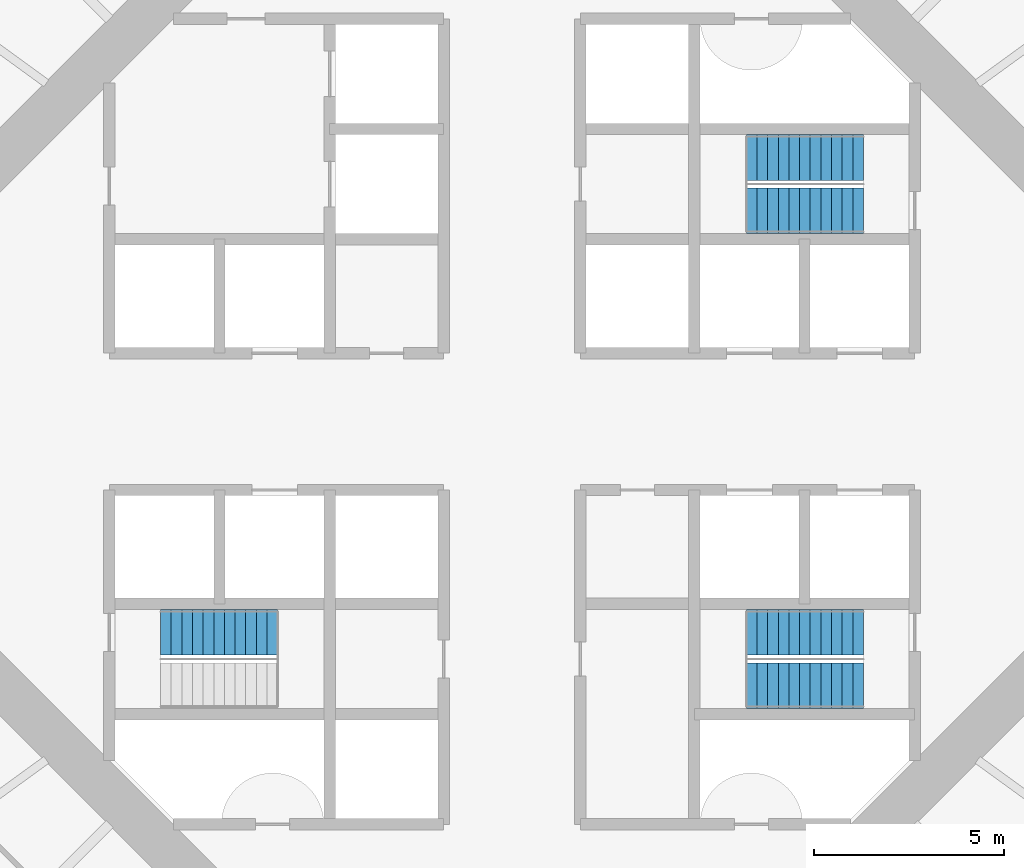
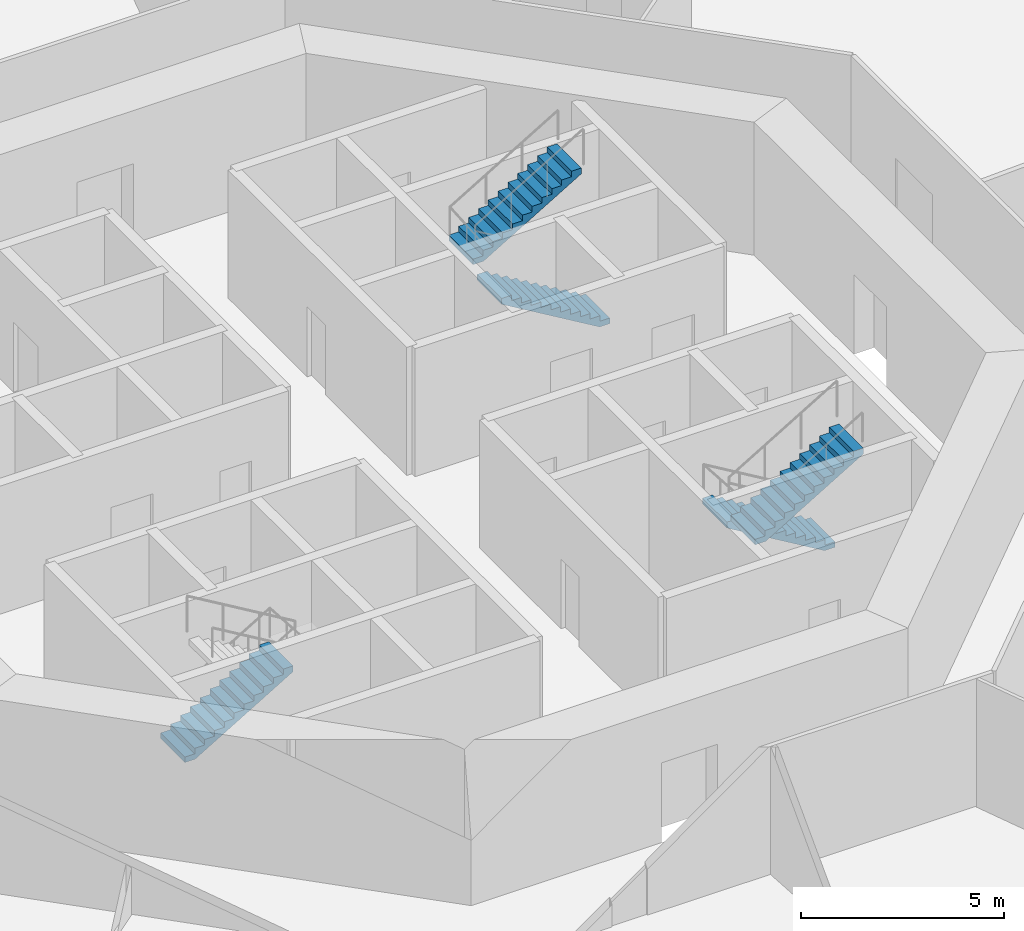
# One storey, part 6 of 13: 5 stair flights, 3 elements without a shape of their own.
"""IFC4 building model written with IfcOpenShell, lengths in metres."""

from ifc_helpers import new_model, si_unit, direction, frame, origin, place, context, subcontext, project, spatial, polyline, outline, extrude, material, type_object, element, aggregate, save


model = new_model("IFC4")

# Units and contexts
model_context = context("Model", 3, precision=1e-05, world=origin(), true_north=direction((0.0, 1.0)))
body_context = subcontext(model_context, "Body", "Model", "MODEL_VIEW")
ifc_project = project(units=[si_unit("LENGTHUNIT", "METRE"), si_unit("AREAUNIT", "SQUARE_METRE"), si_unit("VOLUMEUNIT", "CUBIC_METRE"), si_unit("PLANEANGLEUNIT", "RADIAN"), si_unit("MASSUNIT", "GRAM", prefix="KILO")], contexts=[model_context])

# Site, building, storey
site_placement = place(None, origin())
site = spatial("IfcSite", under=ifc_project, at=site_placement, CompositionType="ELEMENT")
building_placement = place(site_placement, origin())
building = spatial("IfcBuilding", under=site, at=building_placement, Name="Entoto Ring Tower", CompositionType="ELEMENT")
storey_placement = place(building_placement, frame((0.0, 0.0, 100.0)))
storey = spatial("IfcBuildingStorey", under=building, at=storey_placement, Name="L22", CompositionType="ELEMENT", Elevation=100.0)

# Stair, stair flights
ifc_material_1 = material(Name="Concrete C40/50", Category="concrete")
stair_type = type_object("IfcStairType", Name="Exit stair 1200 mm dog-leg reinforced concrete", PredefinedType="HALF_TURN_STAIR", material=ifc_material_1)
stair_1_placement = place(storey_placement, origin())
stair_1 = element("IfcStair", 1, at=stair_1_placement, inside=storey, type_object=stair_type, Name="Exit stair 1", PredefinedType="HALF_TURN_STAIR")
ifc_material_2 = material(Name="Concrete C40/50", Category="concrete")
stair_flight_type = type_object("IfcStairFlightType", Name="Stair flight 1200 mm reinforced concrete", PredefinedType="STRAIGHT", material=ifc_material_2)
stair_flight_1_placement = place(storey_placement, frame((99.25, 85.550048828125, 0.0), z_axis=(0.0, 0.0, 1.0), x_axis=(-1.0, 0.0, 0.0)))
stair_flight_1 = element("IfcStairFlight", 2, at=stair_flight_1_placement, type_object=stair_flight_type, Name="ST1 flight 1", NumberOfRisers=12, NumberOfTreads=11, PredefinedType="STRAIGHT", RiserHeight=0.166666667, TreadLength=0.28, context=body_context, shape_type="SweptSolid", body=[
    extrude(outline(polyline([(0.0, 0.0), (0.0, 0.166748046875), (0.280029296875, 0.166748046875), (0.280029296875, 0.333251953125), (0.56005859375, 0.333251953125), (0.56005859375, 0.5), (0.840087890625, 0.5), (0.840087890625, 0.666748046875), (1.1201171875, 0.666748046875), (1.1201171875, 0.833251953125), (1.39990234375, 0.833251953125), (1.39990234375, 1.0), (1.679931640625, 1.0), (1.679931640625, 1.166748046875), (1.9599609375, 1.166748046875), (1.9599609375, 1.333251953125), (2.239990234375, 1.333251953125), (2.239990234375, 1.5), (2.52001953125, 1.5), (2.52001953125, 1.666748046875), (2.800048828125, 1.666748046875), (2.800048828125, 1.833251953125), (3.080078125, 1.833251953125), (3.080078125, 2.0), (3.080078125, 1.658935546875), (0.29296875, 0.0), (0.0, 0.0)])), frame((0.0, 0.60009765625, 0.0), z_axis=(0.0, -1.0, 0.0), x_axis=(1.0, 0.0, 0.0)), (0.0, 0.0, 1.0), 1.199951171875),
])
stair_flight_2_placement = place(storey_placement, frame((96.169921875, 86.949951171875, 2.0), z_axis=(0.0, 0.0, 1.0), x_axis=(1.0, 0.0, 0.0)))
stair_flight_2 = element("IfcStairFlight", 3, at=stair_flight_2_placement, type_object=stair_flight_type, Name="ST1 flight 2", NumberOfRisers=12, NumberOfTreads=11, PredefinedType="STRAIGHT", RiserHeight=0.166666667, TreadLength=0.28, context=body_context, shape_type="SweptSolid", body=[
    extrude(outline(polyline([(0.0, 0.0), (0.0, 0.166748046875), (0.280029296875, 0.166748046875), (0.280029296875, 0.333251953125), (0.56005859375, 0.333251953125), (0.56005859375, 0.5), (0.840087890625, 0.5), (0.840087890625, 0.666748046875), (1.1201171875, 0.666748046875), (1.1201171875, 0.833251953125), (1.39990234375, 0.833251953125), (1.39990234375, 1.0), (1.679931640625, 1.0), (1.679931640625, 1.166748046875), (1.9599609375, 1.166748046875), (1.9599609375, 1.333251953125), (2.239990234375, 1.333251953125), (2.239990234375, 1.5), (2.52001953125, 1.5), (2.52001953125, 1.666748046875), (2.800048828125, 1.666748046875), (2.800048828125, 1.833251953125), (3.080078125, 1.833251953125), (3.080078125, 2.0), (3.080078125, 1.658935546875), (0.29296875, 0.0), (0.0, 0.0)])), frame((0.0, 0.60009765625, 0.0), z_axis=(0.0, -1.0, 0.0), x_axis=(1.0, 0.0, 0.0)), (0.0, 0.0, 1.0), 1.199951171875),
])
aggregate(stair_1, [stair_flight_1, stair_flight_2])

# Stair, stair flight
stair_2_placement = place(storey_placement, origin())
stair_2 = element("IfcStair", 4, at=stair_2_placement, inside=storey, type_object=stair_type, Name="Exit stair 2", PredefinedType="HALF_TURN_STAIR")
stair_flight_3_placement = place(storey_placement, frame((80.75, 74.449951171875, 0.0), z_axis=(0.0, 0.0, 1.0), x_axis=(1.0, 0.0, 0.0)))
stair_flight_3 = element("IfcStairFlight", 5, at=stair_flight_3_placement, type_object=stair_flight_type, Name="ST2 flight 1", NumberOfRisers=12, NumberOfTreads=11, PredefinedType="STRAIGHT", RiserHeight=0.166666667, TreadLength=0.28, context=body_context, shape_type="SweptSolid", body=[
    extrude(outline(polyline([(0.0, 0.0), (0.0, 0.166748046875), (0.280029296875, 0.166748046875), (0.280029296875, 0.333251953125), (0.56005859375, 0.333251953125), (0.56005859375, 0.5), (0.840087890625, 0.5), (0.840087890625, 0.666748046875), (1.1201171875, 0.666748046875), (1.1201171875, 0.833251953125), (1.39990234375, 0.833251953125), (1.39990234375, 1.0), (1.679931640625, 1.0), (1.679931640625, 1.166748046875), (1.9599609375, 1.166748046875), (1.9599609375, 1.333251953125), (2.239990234375, 1.333251953125), (2.239990234375, 1.5), (2.52001953125, 1.5), (2.52001953125, 1.666748046875), (2.800048828125, 1.666748046875), (2.800048828125, 1.833251953125), (3.080078125, 1.833251953125), (3.080078125, 2.0), (3.080078125, 1.658935546875), (0.29296875, 0.0), (0.0, 0.0)])), frame((0.0, 0.60009765625, 0.0), z_axis=(0.0, -1.0, 0.0), x_axis=(1.0, 0.0, 0.0)), (0.0, 0.0, 1.0), 1.199951171875),
])
aggregate(stair_2, [stair_flight_3])

# Stair, stair flights
stair_3_placement = place(storey_placement, origin())
stair_3 = element("IfcStair", 6, at=stair_3_placement, inside=storey, type_object=stair_type, Name="Exit stair 3", PredefinedType="HALF_TURN_STAIR")
stair_flight_4_placement = place(storey_placement, frame((99.25, 74.449951171875, 0.0), z_axis=(0.0, 0.0, 1.0), x_axis=(-1.0, 0.0, 0.0)))
stair_flight_4 = element("IfcStairFlight", 7, at=stair_flight_4_placement, type_object=stair_flight_type, Name="ST3 flight 1", NumberOfRisers=12, NumberOfTreads=11, PredefinedType="STRAIGHT", RiserHeight=0.166666667, TreadLength=0.28, context=body_context, shape_type="SweptSolid", body=[
    extrude(outline(polyline([(0.0, 0.0), (0.0, 0.166748046875), (0.280029296875, 0.166748046875), (0.280029296875, 0.333251953125), (0.56005859375, 0.333251953125), (0.56005859375, 0.5), (0.840087890625, 0.5), (0.840087890625, 0.666748046875), (1.1201171875, 0.666748046875), (1.1201171875, 0.833251953125), (1.39990234375, 0.833251953125), (1.39990234375, 1.0), (1.679931640625, 1.0), (1.679931640625, 1.166748046875), (1.9599609375, 1.166748046875), (1.9599609375, 1.333251953125), (2.239990234375, 1.333251953125), (2.239990234375, 1.5), (2.52001953125, 1.5), (2.52001953125, 1.666748046875), (2.800048828125, 1.666748046875), (2.800048828125, 1.833251953125), (3.080078125, 1.833251953125), (3.080078125, 2.0), (3.080078125, 1.658935546875), (0.29296875, 0.0), (0.0, 0.0)])), frame((0.0, 0.60009765625, 0.0), z_axis=(0.0, -1.0, 0.0), x_axis=(1.0, 0.0, 0.0)), (0.0, 0.0, 1.0), 1.199951171875),
])
stair_flight_5_placement = place(storey_placement, frame((96.169921875, 73.050048828125, 2.0), z_axis=(0.0, 0.0, 1.0), x_axis=(1.0, 0.0, 0.0)))
stair_flight_5 = element("IfcStairFlight", 8, at=stair_flight_5_placement, type_object=stair_flight_type, Name="ST3 flight 2", NumberOfRisers=12, NumberOfTreads=11, PredefinedType="STRAIGHT", RiserHeight=0.166666667, TreadLength=0.28, context=body_context, shape_type="SweptSolid", body=[
    extrude(outline(polyline([(0.0, 0.0), (0.0, 0.166748046875), (0.280029296875, 0.166748046875), (0.280029296875, 0.333251953125), (0.56005859375, 0.333251953125), (0.56005859375, 0.5), (0.840087890625, 0.5), (0.840087890625, 0.666748046875), (1.1201171875, 0.666748046875), (1.1201171875, 0.833251953125), (1.39990234375, 0.833251953125), (1.39990234375, 1.0), (1.679931640625, 1.0), (1.679931640625, 1.166748046875), (1.9599609375, 1.166748046875), (1.9599609375, 1.333251953125), (2.239990234375, 1.333251953125), (2.239990234375, 1.5), (2.52001953125, 1.5), (2.52001953125, 1.666748046875), (2.800048828125, 1.666748046875), (2.800048828125, 1.833251953125), (3.080078125, 1.833251953125), (3.080078125, 2.0), (3.080078125, 1.658935546875), (0.29296875, 0.0), (0.0, 0.0)])), frame((0.0, 0.60009765625, 0.0), z_axis=(0.0, -1.0, 0.0), x_axis=(1.0, 0.0, 0.0)), (0.0, 0.0, 1.0), 1.199951171875),
])
aggregate(stair_3, [stair_flight_4, stair_flight_5])

save(model, "model.ifc")
